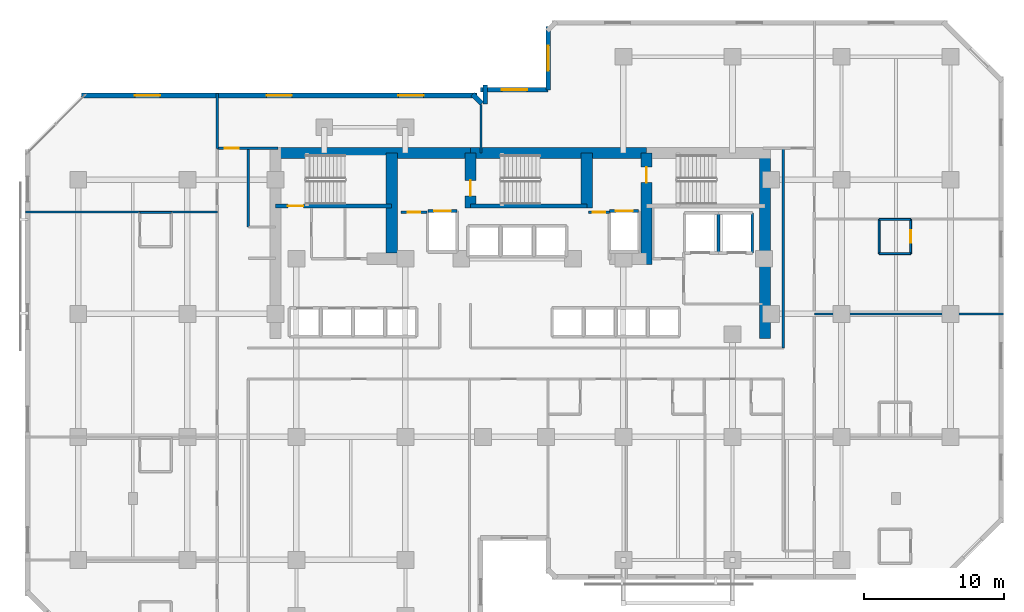
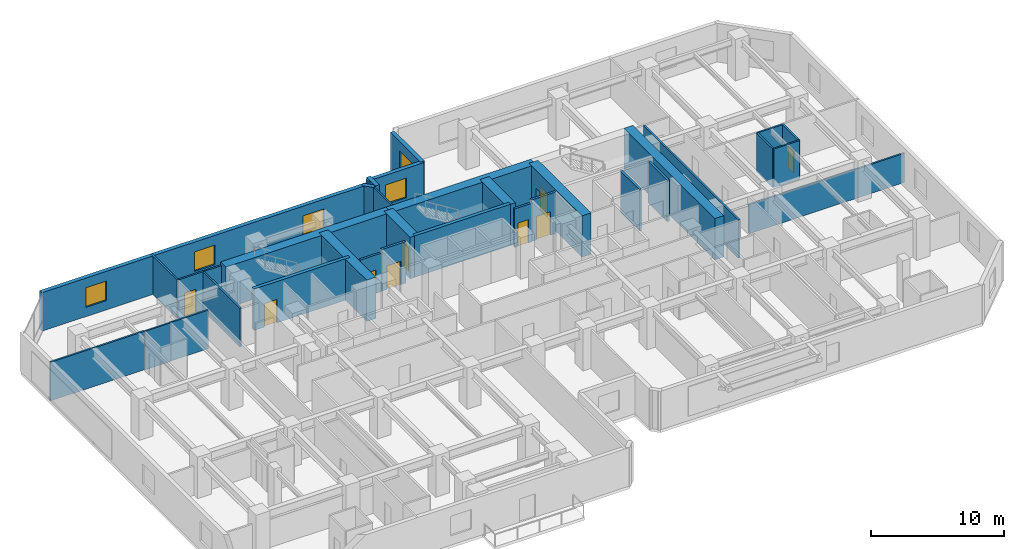
# One storey, part 9 of 12: 33 walls, 9 doors, 5 windows, 14 openings.
"""IFC4 building model written with IfcOpenShell, lengths in metres."""

from ifc_helpers import new_model, si_unit, direction, frame, frame_2d, origin, place, context, subcontext, project, spatial, rectangle, extrude, material, layer, layer_set, type_object, element, fill, save


model = new_model("IFC4")

# Units and contexts
model_context = context("Model", 3, precision=1e-05, world=origin(), true_north=direction((0.0, 1.0)))
body_context = subcontext(model_context, "Body", "Model", "MODEL_VIEW")
ifc_project = project(units=[si_unit("LENGTHUNIT", "METRE"), si_unit("AREAUNIT", "SQUARE_METRE"), si_unit("VOLUMEUNIT", "CUBIC_METRE"), si_unit("PLANEANGLEUNIT", "RADIAN"), si_unit("MASSUNIT", "GRAM", prefix="KILO")], contexts=[model_context])

# Site, building, storey
site_placement = place(None, origin())
site = spatial("IfcSite", under=ifc_project, at=site_placement, CompositionType="ELEMENT")
building_placement = place(site_placement, origin())
building = spatial("IfcBuilding", under=site, at=building_placement, Name="Kestravale Grand Hotel", CompositionType="ELEMENT")
storey_placement = place(building_placement, frame((0.0, 0.0, 103.199951171875)))
storey = spatial("IfcBuildingStorey", under=building, at=storey_placement, Name="L25", CompositionType="ELEMENT", Elevation=103.199951171875)

# Walls
ifc_material_1 = material(Name="Concrete f'c 60 MPa", Category="concrete")
ifc_layer_1 = layer(ifc_material_1, 0.800048828125)
ifc_layer_set_1 = layer_set([ifc_layer_1], Name="EW-CORE-800")
wall_type_1 = type_object("IfcWallType", Name="EW-CORE-800", PredefinedType="SHEAR", material=ifc_layer_set_1)
wall_1_placement = place(storey_placement, frame((21.5, 40.320068359375, 0.0), z_axis=(0.0, 0.0, 1.0), x_axis=(1.0, 0.0, 0.0)))
element("IfcWall", 1, at=wall_1_placement, inside=storey, type_object=wall_type_1, Name="L25 core shear wall N1", PredefinedType="SHEAR", context=body_context, shape_type="SweptSolid", body=[
    extrude(rectangle(XDim=14.35009765625, YDim=0.800048828125, at=frame_2d((7.175048828125, 0.0))), origin(), (0.0, 0.0, 1.0), 3.800048828125),
])
wall_2_placement = place(storey_placement, frame((35.85009765625, 40.320068359375, 0.0), z_axis=(0.0, 0.0, 1.0), x_axis=(1.0, 0.0, 0.0)))
element("IfcWall", 2, at=wall_2_placement, inside=storey, type_object=wall_type_1, Name="L25 core shear wall N2", PredefinedType="SHEAR", context=body_context, shape_type="SweptSolid", body=[
    extrude(rectangle(XDim=12.599853515625, YDim=0.800048828125, at=frame_2d((6.2998046875, 0.0))), origin(), (0.0, 0.0, 1.0), 3.800048828125),
])
wall_3_placement = place(storey_placement, frame((56.919921875, 27.050048828125, 0.0), z_axis=(0.0, 0.0, 1.0), x_axis=(0.0, 1.0, 0.0)))
element("IfcWall", 3, at=wall_3_placement, inside=storey, type_object=wall_type_1, Name="L25 core shear wall E1", PredefinedType="SHEAR", context=body_context, shape_type="SweptSolid", body=[
    extrude(rectangle(XDim=13.669921875, YDim=0.800048828125, at=frame_2d((6.8349609375, 0.0))), origin(), (0.0, 0.0, 1.0), 3.800048828125),
])
wall_4_placement = place(storey_placement, frame((30.219970703125, 33.14990234375, 0.0), z_axis=(0.0, 0.0, 1.0), x_axis=(0.0, 1.0, 0.0)))
element("IfcWall", 4, at=wall_4_placement, inside=storey, type_object=wall_type_1, Name="L25 core shear wall X1", PredefinedType="SHEAR", context=body_context, shape_type="SweptSolid", body=[
    extrude(rectangle(XDim=7.170166015625, YDim=0.800048828125, at=frame_2d((3.5849609375, 0.0))), origin(), (0.0, 0.0, 1.0), 3.800048828125),
])

# Wall, opening, door
wall_5_placement = place(storey_placement, frame((35.85009765625, 36.3701171875, 0.0), z_axis=(0.0, 0.0, 1.0), x_axis=(0.0, 1.0, 0.0)))
wall_5 = element("IfcWall", 5, at=wall_5_placement, inside=storey, type_object=wall_type_1, Name="L25 core shear wall X2", PredefinedType="SHEAR", context=body_context, shape_type="SweptSolid", body=[
    extrude(rectangle(XDim=3.949951171875, YDim=0.800048828125, at=frame_2d((1.97509765625, 0.0))), origin(), (0.0, 0.0, 1.0), 3.800048828125),
])
opening_1_placement = place(wall_5_placement, frame((0.8798828125, 0.0, 0.0)))
opening_1 = element("IfcOpeningElement", 6, at=opening_1_placement, cuts=wall_5, Name="Opening D-ST-1100", PredefinedType="OPENING", context=body_context, shape_type="SweptSolid", body=[
    extrude(rectangle(XDim=1.10009765625, YDim=2.14990234375, at=frame_2d((0.550048828125, 1.074951171875))), frame((0.0, 0.409912109375, 0.0), z_axis=(0.0, -1.0, 0.0), x_axis=(1.0, 0.0, 0.0)), (0.0, 0.0, 1.0), 0.820068359375),
])
ifc_material_2 = material(Name="Galvanised 90-minute fire-rated steel stair door", Category="steel")
door_type_1 = type_object("IfcDoorType", Name="D-ST-1100", OperationType="NOTDEFINED", PredefinedType="DOOR", material=ifc_material_2)
door_1_placement = place(opening_1_placement, origin())
door_1 = element("IfcDoor", 7, at=door_1_placement, inside=storey, type_object=door_type_1, Name="L25 Stair ST-2 FSAE fire door", OperationType="SINGLE_SWING_RIGHT", OverallHeight=2.14990234375, OverallWidth=1.10009765625, PredefinedType="DOOR", context=body_context, shape_type="SweptSolid", body=[
    extrude(rectangle(XDim=1.10009765625, YDim=2.14990234375, at=frame_2d((0.550048828125, 1.074951171875))), frame((0.0, 0.02490234375, 0.0), z_axis=(0.0, -1.0, 0.0), x_axis=(1.0, 0.0, 0.0)), (0.0, 0.0, 1.0), 0.050048828125),
])
fill(opening_1, door_1)

# Wall
wall_6_placement = place(storey_placement, frame((44.179931640625, 36.3701171875, 0.0), z_axis=(0.0, 0.0, 1.0), x_axis=(0.0, 1.0, 0.0)))
element("IfcWall", 8, at=wall_6_placement, inside=storey, type_object=wall_type_1, Name="L25 core shear wall X3", PredefinedType="SHEAR", context=body_context, shape_type="SweptSolid", body=[
    extrude(rectangle(XDim=3.949951171875, YDim=0.800048828125, at=frame_2d((1.97509765625, 0.0))), origin(), (0.0, 0.0, 1.0), 3.800048828125),
])

# Wall, opening, door
wall_7_placement = place(storey_placement, frame((48.449951171875, 32.35009765625, 0.0), z_axis=(0.0, 0.0, 1.0), x_axis=(0.0, 1.0, 0.0)))
wall_7 = element("IfcWall", 9, at=wall_7_placement, inside=storey, type_object=wall_type_1, Name="L25 core shear wall X4", PredefinedType="SHEAR", context=body_context, shape_type="SweptSolid", body=[
    extrude(rectangle(XDim=7.969970703125, YDim=0.800048828125, at=frame_2d((3.98486328125, 0.0))), origin(), (0.0, 0.0, 1.0), 3.800048828125),
])
opening_2_placement = place(wall_7_placement, frame((5.85009765625, 0.0, 0.0)))
opening_2 = element("IfcOpeningElement", 10, at=opening_2_placement, cuts=wall_7, Name="Opening D-ST-1100", PredefinedType="OPENING", context=body_context, shape_type="SweptSolid", body=[
    extrude(rectangle(XDim=1.10009765625, YDim=2.14990234375, at=frame_2d((0.550048828125, 1.074951171875))), frame((0.0, 0.409912109375, 0.0), z_axis=(0.0, -1.0, 0.0), x_axis=(1.0, 0.0, 0.0)), (0.0, 0.0, 1.0), 0.820068359375),
])
door_2_placement = place(opening_2_placement, origin())
door_2 = element("IfcDoor", 11, at=door_2_placement, inside=storey, type_object=door_type_1, Name="L25 Stair ST-3 FSAE fire door", OperationType="SINGLE_SWING_RIGHT", OverallHeight=2.14990234375, OverallWidth=1.10009765625, PredefinedType="DOOR", context=body_context, shape_type="SweptSolid", body=[
    extrude(rectangle(XDim=1.10009765625, YDim=2.14990234375, at=frame_2d((0.550048828125, 1.074951171875))), frame((0.0, 0.02490234375, 0.0), z_axis=(0.0, -1.0, 0.0), x_axis=(1.0, 0.0, 0.0)), (0.0, 0.0, 1.0), 0.050048828125),
])
fill(opening_2, door_2)

# Wall, opening, window
ifc_material_3 = material(Name="Precast concrete f'c 45 MPa", Category="concrete")
ifc_layer_2 = layer(ifc_material_3, 0.340087890625)
ifc_layer_set_2 = layer_set([ifc_layer_2], Name="EW-PREC-340")
wall_type_2 = type_object("IfcWallType", Name="EW-PREC-340", PredefinedType="SOLIDWALL", material=ifc_layer_set_2)
wall_8_placement = place(storey_placement, frame((41.419921875, 49.3701171875, 0.0), z_axis=(0.0, 0.0, 1.0), x_axis=(0.0, -1.0, 0.0)))
wall_8 = element("IfcWall", 12, at=wall_8_placement, inside=storey, type_object=wall_type_2, Name="L25 fluted precast facade wall 13", PredefinedType="SOLIDWALL", context=body_context, shape_type="SweptSolid", body=[
    extrude(rectangle(XDim=4.5400390625, YDim=0.340087890625, at=frame_2d((2.27001953125, 0.0))), origin(), (0.0, 0.0, 1.0), 3.5400390625),
])
opening_3_placement = place(wall_8_placement, frame((1.3701171875, 0.0, 0.85009765625)))
opening_3 = element("IfcOpeningElement", 13, at=opening_3_placement, cuts=wall_8, Name="Opening W-GUEST-1800", PredefinedType="OPENING", context=body_context, shape_type="SweptSolid", body=[
    extrude(rectangle(XDim=1.800048828125, YDim=1.800048828125, at=frame_2d((0.89990234375, 0.89990234375))), frame((0.0, 0.179931640625, 0.0), z_axis=(0.0, -1.0, 0.0), x_axis=(1.0, 0.0, 0.0)), (0.0, 0.0, 1.0), 0.360107421875),
])
ifc_material_4 = material(Name="Insulated low-E double glazing in aluminium frame", Category="aluminium")
window_type = type_object("IfcWindowType", Name="W-GUEST-1800", PartitioningType="DOUBLE_PANEL_VERTICAL", PredefinedType="WINDOW", material=ifc_material_4)
window_1_placement = place(opening_3_placement, origin())
window_1 = element("IfcWindow", 14, at=window_1_placement, inside=storey, type_object=window_type, Name="L25 exterior window 13.1", OverallHeight=1.800048828125, OverallWidth=1.800048828125, PartitioningType="SINGLE_PANEL", PredefinedType="WINDOW", context=body_context, shape_type="SweptSolid", body=[
    extrude(rectangle(XDim=1.800048828125, YDim=1.800048828125, at=frame_2d((0.89990234375, 0.89990234375))), frame((0.0, 0.030029296875, 0.0), z_axis=(0.0, -1.0, 0.0), x_axis=(1.0, 0.0, 0.0)), (0.0, 0.0, 1.0), 0.06005859375),
])
fill(opening_3, window_1)

wall_9_placement = place(storey_placement, frame((41.419921875, 44.830078125, 0.0), z_axis=(0.0, 0.0, 1.0), x_axis=(-1.0, 0.0, 0.0)))
wall_9 = element("IfcWall", 15, at=wall_9_placement, inside=storey, type_object=wall_type_2, Name="L25 fluted precast facade wall 14", PredefinedType="SOLIDWALL", context=body_context, shape_type="SweptSolid", body=[
    extrude(rectangle(XDim=4.83984375, YDim=0.340087890625, at=frame_2d((2.419921875, 0.0))), origin(), (0.0, 0.0, 1.0), 3.5400390625),
])
opening_4_placement = place(wall_9_placement, frame((1.52001953125, 0.0, 0.85009765625)))
opening_4 = element("IfcOpeningElement", 16, at=opening_4_placement, cuts=wall_9, Name="Opening W-GUEST-1800", PredefinedType="OPENING", context=body_context, shape_type="SweptSolid", body=[
    extrude(rectangle(XDim=1.800048828125, YDim=1.800048828125, at=frame_2d((0.89990234375, 0.89990234375))), frame((0.0, 0.179931640625, 0.0), z_axis=(0.0, -1.0, 0.0), x_axis=(1.0, 0.0, 0.0)), (0.0, 0.0, 1.0), 0.360107421875),
])
window_2_placement = place(opening_4_placement, origin())
window_2 = element("IfcWindow", 17, at=window_2_placement, inside=storey, type_object=window_type, Name="L25 exterior window 14.1", OverallHeight=1.800048828125, OverallWidth=1.800048828125, PartitioningType="SINGLE_PANEL", PredefinedType="WINDOW", context=body_context, shape_type="SweptSolid", body=[
    extrude(rectangle(XDim=1.800048828125, YDim=1.800048828125, at=frame_2d((0.89990234375, 0.89990234375))), frame((0.0, 0.030029296875, 0.0), z_axis=(0.0, -1.0, 0.0), x_axis=(1.0, 0.0, 0.0)), (0.0, 0.0, 1.0), 0.06005859375),
])
fill(opening_4, window_2)

# Walls
wall_10_placement = place(storey_placement, frame((36.919921875, 45.169921875, 0.0), z_axis=(0.0, 0.0, 1.0), x_axis=(0.0, -1.0, 0.0)))
element("IfcWall", 18, at=wall_10_placement, inside=storey, type_object=wall_type_2, Name="L25 fluted precast facade wall 15", PredefinedType="SOLIDWALL", context=body_context, shape_type="SweptSolid", body=[
    extrude(rectangle(XDim=1.33984375, YDim=0.340087890625, at=frame_2d((0.669921875, 0.0))), origin(), (0.0, 0.0, 1.0), 3.5400390625),
])
wall_11_placement = place(storey_placement, frame((36.658203125, 43.8515625, 0.0), z_axis=(0.0, 0.0, 1.0), x_axis=(-0.707238225886, 0.706975312048, 0.0)))
element("IfcWall", 19, at=wall_11_placement, inside=storey, type_object=wall_type_2, Name="L25 fluted precast facade wall 16", PredefinedType="SOLIDWALL", context=body_context, shape_type="SweptSolid", body=[
    extrude(rectangle(XDim=0.9287109375, YDim=0.340087890625, at=frame_2d((0.46435546875, 0.0))), origin(), (0.0, 0.0, 1.0), 3.5400390625),
])

# Wall, openings, windows
wall_12_placement = place(storey_placement, frame((36.320068359375, 44.429931640625, 0.0), z_axis=(0.0, 0.0, 1.0), x_axis=(-1.0, 0.0, 0.0)))
wall_12 = element("IfcWall", 20, at=wall_12_placement, inside=storey, type_object=wall_type_2, Name="L25 fluted precast facade wall 17", PredefinedType="SOLIDWALL", context=body_context, shape_type="SweptSolid", body=[
    extrude(rectangle(XDim=28.2900390625, YDim=0.340087890625, at=frame_2d((14.14501953125, 0.0))), origin(), (0.0, 0.0, 1.0), 3.5400390625),
])
opening_5_placement = place(wall_12_placement, frame((3.81494140625, 0.0, 0.85009765625)))
opening_5 = element("IfcOpeningElement", 21, at=opening_5_placement, cuts=wall_12, Name="Opening W-GUEST-1800", PredefinedType="OPENING", context=body_context, shape_type="SweptSolid", body=[
    extrude(rectangle(XDim=1.800048828125, YDim=1.800048828125, at=frame_2d((0.89990234375, 0.89990234375))), frame((0.0, 0.179931640625, 0.0), z_axis=(0.0, -1.0, 0.0), x_axis=(1.0, 0.0, 0.0)), (0.0, 0.0, 1.0), 0.360107421875),
])
opening_6_placement = place(wall_12_placement, frame((13.2451171875, 0.0, 0.85009765625)))
opening_6 = element("IfcOpeningElement", 22, at=opening_6_placement, cuts=wall_12, Name="Opening W-GUEST-1800", PredefinedType="OPENING", context=body_context, shape_type="SweptSolid", body=[
    extrude(rectangle(XDim=1.800048828125, YDim=1.800048828125, at=frame_2d((0.89990234375, 0.89990234375))), frame((0.0, 0.179931640625, 0.0), z_axis=(0.0, -1.0, 0.0), x_axis=(1.0, 0.0, 0.0)), (0.0, 0.0, 1.0), 0.360107421875),
])
opening_7_placement = place(wall_12_placement, frame((22.675048828125, 0.0, 0.85009765625)))
opening_7 = element("IfcOpeningElement", 23, at=opening_7_placement, cuts=wall_12, Name="Opening W-GUEST-1800", PredefinedType="OPENING", context=body_context, shape_type="SweptSolid", body=[
    extrude(rectangle(XDim=1.800048828125, YDim=1.800048828125, at=frame_2d((0.89990234375, 0.89990234375))), frame((0.0, 0.179931640625, 0.0), z_axis=(0.0, -1.0, 0.0), x_axis=(1.0, 0.0, 0.0)), (0.0, 0.0, 1.0), 0.360107421875),
])
window_3_placement = place(opening_5_placement, origin())
window_3 = element("IfcWindow", 24, at=window_3_placement, inside=storey, type_object=window_type, Name="L25 exterior window 17.1", OverallHeight=1.800048828125, OverallWidth=1.800048828125, PartitioningType="SINGLE_PANEL", PredefinedType="WINDOW", context=body_context, shape_type="SweptSolid", body=[
    extrude(rectangle(XDim=1.800048828125, YDim=1.800048828125, at=frame_2d((0.89990234375, 0.89990234375))), frame((0.0, 0.030029296875, 0.0), z_axis=(0.0, -1.0, 0.0), x_axis=(1.0, 0.0, 0.0)), (0.0, 0.0, 1.0), 0.06005859375),
])
fill(opening_5, window_3)
window_4_placement = place(opening_6_placement, origin())
window_4 = element("IfcWindow", 25, at=window_4_placement, inside=storey, type_object=window_type, Name="L25 exterior window 17.2", OverallHeight=1.800048828125, OverallWidth=1.800048828125, PartitioningType="SINGLE_PANEL", PredefinedType="WINDOW", context=body_context, shape_type="SweptSolid", body=[
    extrude(rectangle(XDim=1.800048828125, YDim=1.800048828125, at=frame_2d((0.89990234375, 0.89990234375))), frame((0.0, 0.030029296875, 0.0), z_axis=(0.0, -1.0, 0.0), x_axis=(1.0, 0.0, 0.0)), (0.0, 0.0, 1.0), 0.06005859375),
])
fill(opening_6, window_4)
window_5_placement = place(opening_7_placement, origin())
window_5 = element("IfcWindow", 26, at=window_5_placement, inside=storey, type_object=window_type, Name="L25 exterior window 17.3", OverallHeight=1.800048828125, OverallWidth=1.800048828125, PartitioningType="SINGLE_PANEL", PredefinedType="WINDOW", context=body_context, shape_type="SweptSolid", body=[
    extrude(rectangle(XDim=1.800048828125, YDim=1.800048828125, at=frame_2d((0.89990234375, 0.89990234375))), frame((0.0, 0.030029296875, 0.0), z_axis=(0.0, -1.0, 0.0), x_axis=(1.0, 0.0, 0.0)), (0.0, 0.0, 1.0), 0.06005859375),
])
fill(opening_7, window_5)

# Wall, opening, door
ifc_material_5 = material(Name="Concrete f'c 45 MPa", Category="concrete")
ifc_layer_3 = layer(ifc_material_5, 0.300048828125)
ifc_layer_set_3 = layer_set([ifc_layer_3], Name="EW-STAIR-300")
wall_type_3 = type_object("IfcWallType", Name="EW-STAIR-300", PredefinedType="SHEAR", material=ifc_layer_set_3)
wall_13_placement = place(storey_placement, frame((21.89990234375, 36.52001953125, 0.0), z_axis=(0.0, 0.0, 1.0), x_axis=(1.0, 0.0, 0.0)))
wall_13 = element("IfcWall", 27, at=wall_13_placement, inside=storey, type_object=wall_type_3, Name="L25 stair enclosure shear wall SST1", PredefinedType="SHEAR", context=body_context, shape_type="SweptSolid", body=[
    extrude(rectangle(XDim=8.320068359375, YDim=0.300048828125, at=frame_2d((4.16015625, 0.0))), origin(), (0.0, 0.0, 1.0), 3.800048828125),
])
opening_8_placement = place(wall_13_placement, frame((0.89990234375, 0.0, 0.0)))
opening_8 = element("IfcOpeningElement", 28, at=opening_8_placement, cuts=wall_13, Name="Opening D-ST-1100", PredefinedType="OPENING", context=body_context, shape_type="SweptSolid", body=[
    extrude(rectangle(XDim=1.10009765625, YDim=2.14990234375, at=frame_2d((0.550048828125, 1.074951171875))), frame((0.0, 0.159912109375, 0.0), z_axis=(0.0, -1.0, 0.0), x_axis=(1.0, 0.0, 0.0)), (0.0, 0.0, 1.0), 0.320068359375),
])
door_3_placement = place(opening_8_placement, origin())
door_3 = element("IfcDoor", 29, at=door_3_placement, inside=storey, type_object=door_type_1, Name="L25 Stair ST-1 fire door", OperationType="SINGLE_SWING_RIGHT", OverallHeight=2.14990234375, OverallWidth=1.10009765625, PredefinedType="DOOR", context=body_context, shape_type="SweptSolid", body=[
    extrude(rectangle(XDim=1.10009765625, YDim=2.14990234375, at=frame_2d((0.550048828125, 1.074951171875))), frame((0.0, 0.02490234375, 0.0), z_axis=(0.0, -1.0, 0.0), x_axis=(1.0, 0.0, 0.0)), (0.0, 0.0, 1.0), 0.050048828125),
])
fill(opening_8, door_3)

# Walls
wall_14_placement = place(storey_placement, frame((35.85009765625, 36.52001953125, 0.0), z_axis=(0.0, 0.0, 1.0), x_axis=(1.0, 0.0, 0.0)))
element("IfcWall", 30, at=wall_14_placement, inside=storey, type_object=wall_type_3, Name="L25 stair enclosure shear wall SST2", PredefinedType="SHEAR", context=body_context, shape_type="SweptSolid", body=[
    extrude(rectangle(XDim=8.329833984375, YDim=0.300048828125, at=frame_2d((4.1650390625, 0.0))), origin(), (0.0, 0.0, 1.0), 3.800048828125),
])
ifc_material_6 = material(Name="Acoustic fire-rated gypsum board partition", Category="other")
ifc_layer_4 = layer(ifc_material_6, 0.159912109375)
ifc_layer_set_4 = layer_set([ifc_layer_4], Name="IW-CORR-160")
wall_type_4 = type_object("IfcWallType", Name="IW-CORR-160", PredefinedType="PARTITIONING", material=ifc_layer_set_4)
wall_15_placement = place(storey_placement, frame((19.9599609375, 35.02001953125, 0.0), z_axis=(0.0, 0.0, 1.0), x_axis=(0.0, 1.0, 0.0)))
element("IfcWall", 31, at=wall_15_placement, inside=storey, type_object=wall_type_4, Name="W-L25-SW-EN", PredefinedType="PARTITIONING", context=body_context, shape_type="SweptSolid", body=[
    extrude(rectangle(XDim=5.6298828125, YDim=0.159912109375, at=frame_2d((2.81494140625, 0.0))), origin(), (0.0, 0.0, 1.0), 3.5400390625),
])
wall_16_placement = place(storey_placement, frame((58.239990234375, 26.360107421875, 0.0), z_axis=(0.0, 0.0, 1.0), x_axis=(0.0, 1.0, 0.0)))
element("IfcWall", 32, at=wall_16_placement, inside=storey, type_object=wall_type_4, Name="W-L25-SE-WU", PredefinedType="PARTITIONING", context=body_context, shape_type="SweptSolid", body=[
    extrude(rectangle(XDim=14.289794921875, YDim=0.159912109375, at=frame_2d((7.14501953125, 0.0))), origin(), (0.0, 0.0, 1.0), 3.5400390625),
])

# Wall, opening, door
ifc_material_7 = material(Name="Fire-rated gypsum board on steel studs with mineral wool", Category="steel")
ifc_layer_5 = layer(ifc_material_7, 0.179931640625)
ifc_layer_set_5 = layer_set([ifc_layer_5], Name="IW-FSAE-180")
wall_type_5 = type_object("IfcWallType", Name="IW-FSAE-180", PredefinedType="PARTITIONING", material=ifc_layer_set_5)
wall_17_placement = place(storey_placement, frame((30.89990234375, 36.080078125, 0.0), z_axis=(0.0, 0.0, 1.0), x_axis=(1.0, 0.0, 0.0)))
wall_17 = element("IfcWall", 33, at=wall_17_placement, inside=storey, type_object=wall_type_5, Name="L25 FSAE Lobby 1 smoke barrier", PredefinedType="PARTITIONING", context=body_context, shape_type="SweptSolid", body=[
    extrude(rectangle(XDim=1.85009765625, YDim=0.179931640625, at=frame_2d((0.925048828125, 0.0))), origin(), (0.0, 0.0, 1.0), 3.5400390625),
])
opening_9_placement = place(wall_17_placement, frame((0.47998046875, 0.0, 0.0)))
opening_9 = element("IfcOpeningElement", 34, at=opening_9_placement, cuts=wall_17, Name="Opening D-FSAE-1000", PredefinedType="OPENING", context=body_context, shape_type="SweptSolid", body=[
    extrude(rectangle(XDim=0.89990234375, YDim=2.14990234375, at=frame_2d((0.449951171875, 1.074951171875))), frame((0.0, 0.099853515625, 0.0), z_axis=(0.0, -1.0, 0.0), x_axis=(1.0, 0.0, 0.0)), (0.0, 0.0, 1.0), 0.199951171875),
])
ifc_material_8 = material(Name="Smoke-gasketed FSAE lobby fire door", Category="steel")
door_type_2 = type_object("IfcDoorType", Name="D-FSAE-1000", OperationType="NOTDEFINED", PredefinedType="DOOR", material=ifc_material_8)
door_4_placement = place(opening_9_placement, origin())
door_4 = element("IfcDoor", 35, at=door_4_placement, inside=storey, type_object=door_type_2, Name="L25 FSAE Lobby 1 fire door", OperationType="SINGLE_SWING_RIGHT", OverallHeight=2.14990234375, OverallWidth=0.89990234375, PredefinedType="DOOR", context=body_context, shape_type="SweptSolid", body=[
    extrude(rectangle(XDim=0.89990234375, YDim=2.14990234375, at=frame_2d((0.449951171875, 1.074951171875))), frame((0.0, 0.02490234375, 0.0), z_axis=(0.0, -1.0, 0.0), x_axis=(1.0, 0.0, 0.0)), (0.0, 0.0, 1.0), 0.050048828125),
])
fill(opening_9, door_4)

wall_18_placement = place(storey_placement, frame((44.300048828125, 36.080078125, 0.0), z_axis=(0.0, 0.0, 1.0), x_axis=(1.0, 0.0, 0.0)))
wall_18 = element("IfcWall", 36, at=wall_18_placement, inside=storey, type_object=wall_type_5, Name="L25 FSAE Lobby 2 smoke barrier", PredefinedType="PARTITIONING", context=body_context, shape_type="SweptSolid", body=[
    extrude(rectangle(XDim=1.5, YDim=0.179931640625, at=frame_2d((0.75, 0.0))), origin(), (0.0, 0.0, 1.0), 3.5400390625),
])
opening_10_placement = place(wall_18_placement, frame((0.300048828125, 0.0, 0.0)))
opening_10 = element("IfcOpeningElement", 37, at=opening_10_placement, cuts=wall_18, Name="Opening D-FSAE-1000", PredefinedType="OPENING", context=body_context, shape_type="SweptSolid", body=[
    extrude(rectangle(XDim=0.89990234375, YDim=2.14990234375, at=frame_2d((0.449951171875, 1.074951171875))), frame((0.0, 0.099853515625, 0.0), z_axis=(0.0, -1.0, 0.0), x_axis=(1.0, 0.0, 0.0)), (0.0, 0.0, 1.0), 0.199951171875),
])
door_5_placement = place(opening_10_placement, origin())
door_5 = element("IfcDoor", 38, at=door_5_placement, inside=storey, type_object=door_type_2, Name="L25 FSAE Lobby 2 fire door", OperationType="SINGLE_SWING_LEFT", OverallHeight=2.14990234375, OverallWidth=0.89990234375, PredefinedType="DOOR", context=body_context, shape_type="SweptSolid", body=[
    extrude(rectangle(XDim=0.89990234375, YDim=2.14990234375, at=frame_2d((0.449951171875, 1.074951171875))), frame((0.0, 0.02490234375, 0.0), z_axis=(0.0, -1.0, 0.0), x_axis=(1.0, 0.0, 0.0)), (0.0, 0.0, 1.0), 0.050048828125),
])
fill(opening_10, door_5)

# Walls
ifc_material_9 = material(Name="Moisture-resistant tile-backer plumbing chase wall", Category="other")
ifc_layer_6 = layer(ifc_material_9, 0.139892578125)
ifc_layer_set_6 = layer_set([ifc_layer_6], Name="IW-PLB-140")
wall_type_6 = type_object("IfcWallType", Name="IW-PLB-140", PredefinedType="PLUMBINGWALL", material=ifc_layer_set_6)
wall_19_placement = place(storey_placement, frame((12.199951171875, 36.06005859375, 0.0), z_axis=(0.0, 0.0, 1.0), x_axis=(1.0, 0.0, 0.0)))
element("IfcWall", 39, at=wall_19_placement, inside=storey, type_object=wall_type_6, Name="W-L25-U06-BN", PredefinedType="PLUMBINGWALL", context=body_context, shape_type="SweptSolid", body=[
    extrude(rectangle(XDim=2.25, YDim=0.139892578125, at=frame_2d((1.125, 0.0))), origin(), (0.0, 0.0, 1.0), 3.5400390625),
])
wall_20_placement = place(storey_placement, frame((65.10009765625, 33.110107421875, 0.0), z_axis=(0.0, 0.0, 1.0), x_axis=(0.0, 1.0, 0.0)))
element("IfcWall", 40, at=wall_20_placement, inside=storey, type_object=wall_type_6, Name="W-L25-U09-BW", PredefinedType="PLUMBINGWALL", context=body_context, shape_type="SweptSolid", body=[
    extrude(rectangle(XDim=2.449951171875, YDim=0.139892578125, at=frame_2d((1.22509765625, 0.0))), origin(), (0.0, 0.0, 1.0), 3.5400390625),
])

# Wall, opening, door
wall_21_placement = place(storey_placement, frame((67.35009765625, 33.110107421875, 0.0), z_axis=(0.0, 0.0, 1.0), x_axis=(0.0, 1.0, 0.0)))
wall_21 = element("IfcWall", 41, at=wall_21_placement, inside=storey, type_object=wall_type_6, Name="W-L25-U09-BE", PredefinedType="PLUMBINGWALL", context=body_context, shape_type="SweptSolid", body=[
    extrude(rectangle(XDim=2.449951171875, YDim=0.139892578125, at=frame_2d((1.22509765625, 0.0))), origin(), (0.0, 0.0, 1.0), 3.5400390625),
])
opening_11_placement = place(wall_21_placement, frame((0.784912109375, 0.0, 0.0)))
opening_11 = element("IfcOpeningElement", 42, at=opening_11_placement, cuts=wall_21, Name="Opening D-BATH-880", PredefinedType="OPENING", context=body_context, shape_type="SweptSolid", body=[
    extrude(rectangle(XDim=0.8798828125, YDim=2.050048828125, at=frame_2d((0.43994140625, 1.02490234375))), frame((0.0, 0.079833984375, 0.0), z_axis=(0.0, -1.0, 0.0), x_axis=(1.0, 0.0, 0.0)), (0.0, 0.0, 1.0), 0.159912109375),
])
ifc_material_10 = material(Name="Moisture-sealed walnut en-suite bathroom door", Category="wood")
door_type_3 = type_object("IfcDoorType", Name="D-BATH-880", OperationType="NOTDEFINED", PredefinedType="DOOR", material=ifc_material_10)
door_6_placement = place(opening_11_placement, origin())
door_6 = element("IfcDoor", 43, at=door_6_placement, inside=storey, type_object=door_type_3, Name="D-L25-U09-BATH", OperationType="SINGLE_SWING_RIGHT", OverallHeight=2.050048828125, OverallWidth=0.8798828125, PredefinedType="DOOR", context=body_context, shape_type="SweptSolid", body=[
    extrude(rectangle(XDim=0.8798828125, YDim=2.050048828125, at=frame_2d((0.43994140625, 1.02490234375))), frame((0.0, 0.02490234375, 0.0), z_axis=(0.0, -1.0, 0.0), x_axis=(1.0, 0.0, 0.0)), (0.0, 0.0, 1.0), 0.050048828125),
])
fill(opening_11, door_6)

# Walls
for number, where, z_axis, x_axis, name in (
    (44, (65.10009765625, 33.110107421875, 0.0), (0.0, 0.0, 1.0), (1.0, 0.0, 0.0), "W-L25-U09-BS"),
    (45, (65.10009765625, 35.56005859375, 0.0), (0.0, 0.0, 1.0), (1.0, 0.0, 0.0), "W-L25-U09-BN"),
):
    element("IfcWall", number, at=place(storey_placement, frame(where, z_axis=z_axis, x_axis=x_axis)), inside=storey, type_object=wall_type_6, Name=name, PredefinedType="PLUMBINGWALL", context=body_context, shape_type="SweptSolid", body=[
        extrude(rectangle(XDim=2.25, YDim=0.139892578125, at=frame_2d((1.125, 0.0))), origin(), (0.0, 0.0, 1.0), 3.5400390625),
    ])
ifc_material_11 = material(Name="Concrete f'c 45 MPa", Category="concrete")
ifc_layer_7 = layer(ifc_material_11, 0.199951171875)
ifc_layer_set_7 = layer_set([ifc_layer_7], Name="IW-SHAFT-200")
wall_type_7 = type_object("IfcWallType", Name="IW-SHAFT-200", PredefinedType="SHEAR", material=ifc_layer_set_7)
for number, where, z_axis, x_axis, name in (
    (46, (53.60009765625, 33.169921875, 0.0), (0.0, 0.0, 1.0), (0.0, 1.0, 0.0), "L25 SL-2 west shaft wall"),
    (47, (56.02001953125, 33.169921875, 0.0), (0.0, 0.0, 1.0), (0.0, 1.0, 0.0), "L25 SL-2 east shaft wall"),
):
    element("IfcWall", number, at=place(storey_placement, frame(where, z_axis=z_axis, x_axis=x_axis)), inside=storey, type_object=wall_type_7, Name=name, PredefinedType="SHEAR", context=body_context, shape_type="SweptSolid", body=[
        extrude(rectangle(XDim=2.860107421875, YDim=0.199951171875, at=frame_2d((1.43017578125, 0.0))), origin(), (0.0, 0.0, 1.0), 3.800048828125),
    ])

# Wall, opening, door
ifc_material_12 = material(Name="Concrete f'c 45 MPa", Category="concrete")
ifc_layer_8 = layer(ifc_material_12, 0.219970703125)
ifc_layer_set_8 = layer_set([ifc_layer_8], Name="IW-SHAFT-220")
wall_type_8 = type_object("IfcWallType", Name="IW-SHAFT-220", PredefinedType="SHEAR", material=ifc_layer_set_8)
wall_22_placement = place(storey_placement, frame((32.804931640625, 36.155029296875, 0.0), z_axis=(0.0, 0.0, 1.0), x_axis=(1.0, 0.0, 0.0)))
wall_22 = element("IfcWall", 48, at=wall_22_placement, inside=storey, type_object=wall_type_8, Name="L25 FL-1 north shaft wall", PredefinedType="SHEAR", context=body_context, shape_type="SweptSolid", body=[
    extrude(rectangle(XDim=2.090087890625, YDim=0.219970703125, at=frame_2d((1.044921875, 0.0))), origin(), (0.0, 0.0, 1.0), 3.800048828125),
])
opening_12_placement = place(wall_22_placement, frame((0.445068359375, 0.0, 0.0)))
opening_12 = element("IfcOpeningElement", 49, at=opening_12_placement, cuts=wall_22, Name="Opening LD-FSAE-1200", PredefinedType="OPENING", context=body_context, shape_type="SweptSolid", body=[
    extrude(rectangle(XDim=1.199951171875, YDim=2.14990234375, at=frame_2d((0.60009765625, 1.074951171875))), frame((0.0, 0.119873046875, 0.0), z_axis=(0.0, -1.0, 0.0), x_axis=(1.0, 0.0, 0.0)), (0.0, 0.0, 1.0), 0.239990234375),
])
ifc_material_13 = material(Name="Stainless fire-service sliding elevator landing door", Category="steel")
door_type_4 = type_object("IfcDoorType", Name="LD-FSAE-1200", OperationType="NOTDEFINED", PredefinedType="DOOR", material=ifc_material_13)
door_7_placement = place(opening_12_placement, origin())
door_7 = element("IfcDoor", 50, at=door_7_placement, inside=storey, type_object=door_type_4, Name="L25 FL-1 elevator landing sliding door", OperationType="DOUBLE_DOOR_SLIDING", OverallHeight=2.14990234375, OverallWidth=1.199951171875, PredefinedType="DOOR", context=body_context, shape_type="SweptSolid", body=[
    extrude(rectangle(XDim=1.199951171875, YDim=2.14990234375, at=frame_2d((0.60009765625, 1.074951171875))), frame((0.0, 0.02490234375, 0.0), z_axis=(0.0, -1.0, 0.0), x_axis=(1.0, 0.0, 0.0)), (0.0, 0.0, 1.0), 0.050048828125),
])
fill(opening_12, door_7)

wall_23_placement = place(storey_placement, frame((45.804931640625, 36.155029296875, 0.0), z_axis=(0.0, 0.0, 1.0), x_axis=(1.0, 0.0, 0.0)))
wall_23 = element("IfcWall", 51, at=wall_23_placement, inside=storey, type_object=wall_type_8, Name="L25 FL-2 north shaft wall", PredefinedType="SHEAR", context=body_context, shape_type="SweptSolid", body=[
    extrude(rectangle(XDim=2.090087890625, YDim=0.219970703125, at=frame_2d((1.044921875, 0.0))), origin(), (0.0, 0.0, 1.0), 3.800048828125),
])
opening_13_placement = place(wall_23_placement, frame((0.445068359375, 0.0, 0.0)))
opening_13 = element("IfcOpeningElement", 52, at=opening_13_placement, cuts=wall_23, Name="Opening LD-FSAE-1200", PredefinedType="OPENING", context=body_context, shape_type="SweptSolid", body=[
    extrude(rectangle(XDim=1.199951171875, YDim=2.14990234375, at=frame_2d((0.60009765625, 1.074951171875))), frame((0.0, 0.119873046875, 0.0), z_axis=(0.0, -1.0, 0.0), x_axis=(1.0, 0.0, 0.0)), (0.0, 0.0, 1.0), 0.239990234375),
])
door_8_placement = place(opening_13_placement, origin())
door_8 = element("IfcDoor", 53, at=door_8_placement, inside=storey, type_object=door_type_4, Name="L25 FL-2 elevator landing sliding door", OperationType="DOUBLE_DOOR_SLIDING", OverallHeight=2.14990234375, OverallWidth=1.199951171875, PredefinedType="DOOR", context=body_context, shape_type="SweptSolid", body=[
    extrude(rectangle(XDim=1.199951171875, YDim=2.14990234375, at=frame_2d((0.60009765625, 1.074951171875))), frame((0.0, 0.02490234375, 0.0), z_axis=(0.0, -1.0, 0.0), x_axis=(1.0, 0.0, 0.0)), (0.0, 0.0, 1.0), 0.050048828125),
])
fill(opening_13, door_8)

ifc_material_14 = material(Name="Double-stud STC 52 acoustic demising partition", Category="other")
ifc_layer_9 = layer(ifc_material_14, 0.14990234375)
ifc_layer_set_9 = layer_set([ifc_layer_9], Name="IW-UNIT-150")
wall_type_9 = type_object("IfcWallType", Name="IW-UNIT-150", PredefinedType="PARTITIONING", material=ifc_layer_set_9)
wall_24_placement = place(storey_placement, frame((17.739990234375, 40.64990234375, 0.0), z_axis=(0.0, 0.0, 1.0), x_axis=(1.0, 0.0, 0.0)))
wall_24 = element("IfcWall", 54, at=wall_24_placement, inside=storey, type_object=wall_type_9, Name="W-L25-SW-N", PredefinedType="PARTITIONING", context=body_context, shape_type="SweptSolid", body=[
    extrude(rectangle(XDim=4.360107421875, YDim=0.14990234375, at=frame_2d((2.18017578125, 0.0))), origin(), (0.0, 0.0, 1.0), 3.5400390625),
])
opening_14_placement = place(wall_24_placement, frame((0.550048828125, 0.0, 0.0)))
opening_14 = element("IfcOpeningElement", 55, at=opening_14_placement, cuts=wall_24, Name="Opening D-GUEST-1000", PredefinedType="OPENING", context=body_context, shape_type="SweptSolid", body=[
    extrude(rectangle(XDim=1.0, YDim=2.14990234375, at=frame_2d((0.5, 1.074951171875))), frame((0.0, 0.0849609375, 0.0), z_axis=(0.0, -1.0, 0.0), x_axis=(1.0, 0.0, 0.0)), (0.0, 0.0, 1.0), 0.169921875),
])
ifc_material_15 = material(Name="Accessible walnut veneer hotel entrance fire door", Category="wood")
door_type_5 = type_object("IfcDoorType", Name="D-GUEST-1000", OperationType="NOTDEFINED", PredefinedType="DOOR", material=ifc_material_15)
door_9_placement = place(opening_14_placement, origin())
door_9 = element("IfcDoor", 56, at=door_9_placement, inside=storey, type_object=door_type_5, Name="L25 NW Gallery Door", OperationType="SINGLE_SWING_RIGHT", OverallHeight=2.14990234375, OverallWidth=1.0, PredefinedType="DOOR", context=body_context, shape_type="SweptSolid", body=[
    extrude(rectangle(XDim=1.0, YDim=2.14990234375, at=frame_2d((0.5, 1.074951171875))), frame((0.0, 0.02490234375, 0.0), z_axis=(0.0, -1.0, 0.0), x_axis=(1.0, 0.0, 0.0)), (0.0, 0.0, 1.0), 0.050048828125),
])
fill(opening_14, door_9)

# Walls
wall_25_placement = place(storey_placement, frame((17.739990234375, 40.64990234375, 0.0), z_axis=(0.0, 0.0, 1.0), x_axis=(0.0, 1.0, 0.0)))
element("IfcWall", 57, at=wall_25_placement, inside=storey, type_object=wall_type_9, Name="W-L25-NGW-W", PredefinedType="PARTITIONING", context=body_context, shape_type="SweptSolid", body=[
    extrude(rectangle(XDim=3.93017578125, YDim=0.14990234375, at=frame_2d((1.965087890625, 0.0))), origin(), (0.0, 0.0, 1.0), 3.5400390625),
])
wall_26_placement = place(storey_placement, frame((36.60009765625, 40.320068359375, 0.0), z_axis=(0.0, 0.0, 1.0), x_axis=(0.0, 1.0, 0.0)))
element("IfcWall", 58, at=wall_26_placement, inside=storey, type_object=wall_type_9, Name="W-L25-NGM", PredefinedType="PARTITIONING", context=body_context, shape_type="SweptSolid", body=[
    extrude(rectangle(XDim=3.445068359375, YDim=0.14990234375, at=frame_2d((1.72265625, 0.0))), origin(), (0.0, 0.0, 1.0), 3.5400390625),
])
wall_27_placement = place(storey_placement, frame((4.02001953125, 36.10009765625, 0.0), z_axis=(0.0, 0.0, 1.0), x_axis=(1.0, 0.0, 0.0)))
element("IfcWall", 59, at=wall_27_placement, inside=storey, type_object=wall_type_9, Name="W-L25-WW-3", PredefinedType="PARTITIONING", context=body_context, shape_type="SweptSolid", body=[
    extrude(rectangle(XDim=8.179931640625, YDim=0.14990234375, at=frame_2d((4.08984375, 0.0))), origin(), (0.0, 0.0, 1.0), 3.5400390625),
])
wall_28_placement = place(storey_placement, frame((14.449951171875, 36.10009765625, 0.0), z_axis=(0.0, 0.0, 1.0), x_axis=(1.0, 0.0, 0.0)))
element("IfcWall", 60, at=wall_28_placement, inside=storey, type_object=wall_type_9, Name="W-L25-WW-3", PredefinedType="PARTITIONING", context=body_context, shape_type="SweptSolid", body=[
    extrude(rectangle(XDim=3.2900390625, YDim=0.14990234375, at=frame_2d((1.64501953125, 0.0))), origin(), (0.0, 0.0, 1.0), 3.5400390625),
])
wall_29_placement = place(storey_placement, frame((60.4599609375, 28.800048828125, 0.0), z_axis=(0.0, 0.0, 1.0), x_axis=(1.0, 0.0, 0.0)))
element("IfcWall", 61, at=wall_29_placement, inside=storey, type_object=wall_type_9, Name="W-L25-EW-2", PredefinedType="PARTITIONING", context=body_context, shape_type="SweptSolid", body=[
    extrude(rectangle(XDim=13.52001953125, YDim=0.14990234375, at=frame_2d((6.760009765625, 0.0))), origin(), (0.0, 0.0, 1.0), 2.678955078125),
])

save(model, "model.ifc")
